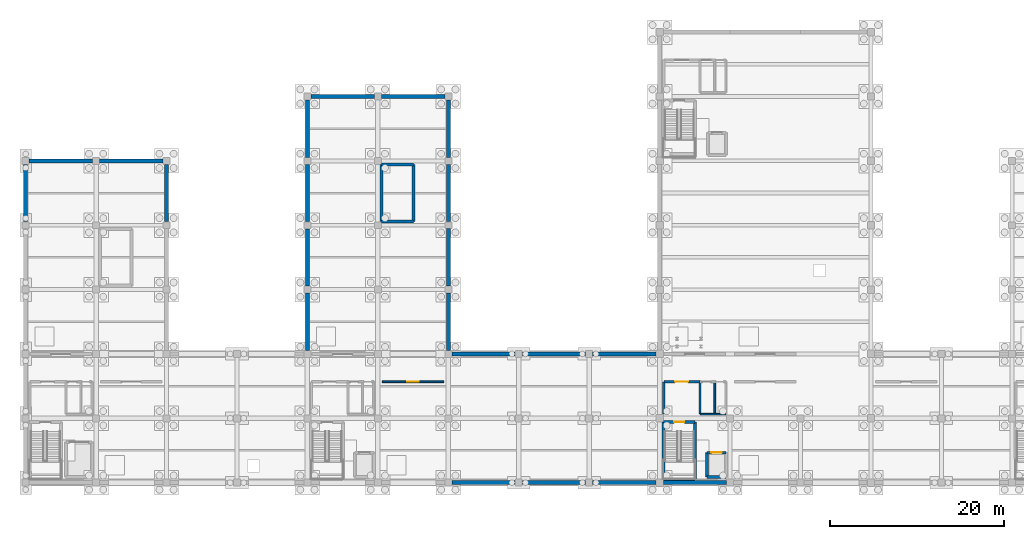
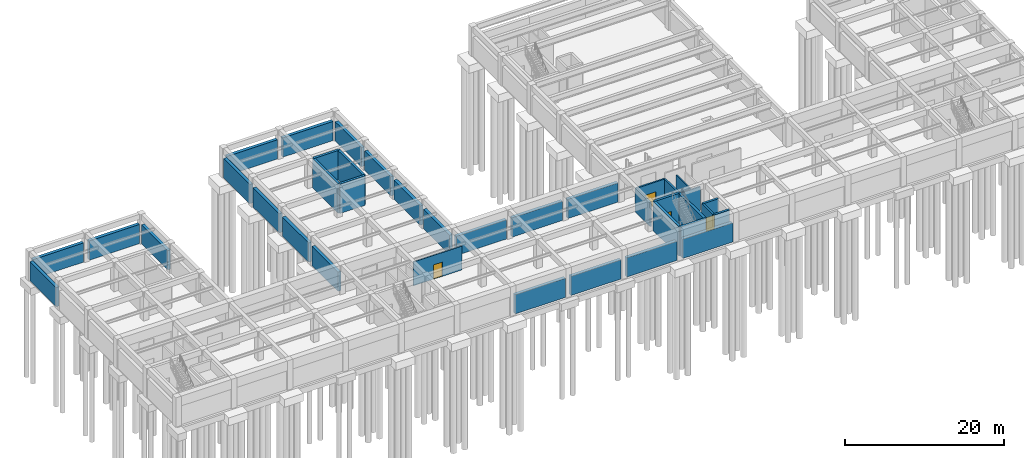
# One storey, part 8 of 14: 38 walls, 4 doors, 4 openings.
"""IFC4 building model written with IfcOpenShell, lengths in metres."""

from ifc_helpers import new_model, si_unit, direction, frame, frame_2d, origin, place, context, subcontext, project, spatial, rectangle, extrude, material, layer, layer_set, type_object, element, fill, save


model = new_model("IFC4")

# Units and contexts
model_context = context("Model", 3, precision=1e-05, world=origin(), true_north=direction((0.0, 1.0)))
body_context = subcontext(model_context, "Body", "Model", "MODEL_VIEW")
ifc_project = project(units=[si_unit("LENGTHUNIT", "METRE"), si_unit("AREAUNIT", "SQUARE_METRE"), si_unit("VOLUMEUNIT", "CUBIC_METRE"), si_unit("PLANEANGLEUNIT", "RADIAN"), si_unit("MASSUNIT", "GRAM", prefix="KILO")], contexts=[model_context])

# Site, building, storey
site_placement = place(None, origin())
site = spatial("IfcSite", under=ifc_project, at=site_placement, CompositionType="ELEMENT")
building_placement = place(site_placement, origin())
building = spatial("IfcBuilding", under=site, at=building_placement, Name="Cimatlan Art Gallery", CompositionType="ELEMENT")
storey_placement = place(building_placement, frame((0.0, 0.0, -4.800048828125)))
storey = spatial("IfcBuildingStorey", under=building, at=storey_placement, Name="B1", CompositionType="ELEMENT", Elevation=-4.800048828125)

# Walls
ifc_material_1 = material(Name="Concrete C40/50", Category="concrete")
ifc_layer_1 = layer(ifc_material_1, 0.31005859375)
ifc_layer_set_1 = layer_set([ifc_layer_1], Name="Concrete C40/50")
wall_type_1 = type_object("IfcWallType", Name="W-CORE-310", PredefinedType="SHEAR", material=ifc_layer_set_1)
wall_1_placement = place(storey_placement, frame((80.35009765625, 24.550048828125, 0.0), z_axis=(0.0, 0.0, 1.0), x_axis=(0.0, 1.0, 0.0)))
element("IfcWall", 1, at=wall_1_placement, inside=storey, type_object=wall_type_1, Name="WL-SHFT-C3-B1-LW", PredefinedType="SHEAR", context=body_context, shape_type="SweptSolid", body=[
    extrude(rectangle(XDim=2.800048828125, YDim=0.31005859375, at=frame_2d((1.39990234375, 0.0))), origin(), (0.0, 0.0, 1.0), 4.51513671875),
])
wall_2_placement = place(storey_placement, frame((80.35009765625, 24.550048828125, 0.0), z_axis=(0.0, 0.0, 1.0), x_axis=(1.0, 0.0, 0.0)))
element("IfcWall", 2, at=wall_2_placement, inside=storey, type_object=wall_type_1, Name="WL-SHFT-C3-B1-LS", PredefinedType="SHEAR", context=body_context, shape_type="SweptSolid", body=[
    extrude(rectangle(XDim=2.199951171875, YDim=0.31005859375, at=frame_2d((1.10009765625, 0.0))), origin(), (0.0, 0.0, 1.0), 4.51513671875),
])

# Wall, opening, door
wall_3_placement = place(storey_placement, frame((80.35009765625, 27.35009765625, 0.0), z_axis=(0.0, 0.0, 1.0), x_axis=(1.0, 0.0, 0.0)))
wall_3 = element("IfcWall", 3, at=wall_3_placement, inside=storey, type_object=wall_type_1, Name="WL-SHFT-C3-B1-LN", PredefinedType="SHEAR", context=body_context, shape_type="SweptSolid", body=[
    extrude(rectangle(XDim=2.199951171875, YDim=0.31005859375, at=frame_2d((1.10009765625, 0.0))), origin(), (0.0, 0.0, 1.0), 4.51513671875),
])
opening_1_placement = place(wall_3_placement, frame((0.5, 0.0, 0.0)))
opening_1 = element("IfcOpeningElement", 4, at=opening_1_placement, cuts=wall_3, Name="Opening LD-C3-B1", PredefinedType="OPENING", context=body_context, shape_type="SweptSolid", body=[
    extrude(rectangle(XDim=1.199951171875, YDim=2.14990234375, at=frame_2d((0.60009765625, 1.074951171875))), frame((0.0, 0.1650390625, 0.0), z_axis=(0.0, -1.0, 0.0), x_axis=(1.0, 0.0, 0.0)), (0.0, 0.0, 1.0), 0.330078125),
])
ifc_material_2 = material(Name="Fire-rated sliding firefighting lift landing door")
door_type_1 = type_object("IfcDoorType", Name="LD-FF-1200", OperationType="NOTDEFINED", PredefinedType="DOOR", material=ifc_material_2)
door_1_placement = place(opening_1_placement, origin())
door_1 = element("IfcDoor", 5, at=door_1_placement, inside=storey, type_object=door_type_1, Name="LD-FFL-02-B1", OperationType="SLIDING_TO_LEFT", OverallHeight=2.14990234375, OverallWidth=1.199951171875, PredefinedType="DOOR", context=body_context, shape_type="SweptSolid", body=[
    extrude(rectangle(XDim=1.199951171875, YDim=2.14990234375, at=frame_2d((0.60009765625, 1.074951171875))), frame((0.0, 0.02490234375, 0.0), z_axis=(0.0, -1.0, 0.0), x_axis=(1.0, 0.0, 0.0)), (0.0, 0.0, 1.0), 0.050048828125),
])
fill(opening_1, door_1)

# Walls
ifc_layer_2 = layer(ifc_material_1, 0.35009765625)
ifc_layer_set_2 = layer_set([ifc_layer_2], Name="Concrete C40/50")
wall_type_2 = type_object("IfcWallType", Name="W-CORE-350", PredefinedType="SHEAR", material=ifc_layer_set_2)
wall_4_placement = place(storey_placement, frame((75.340087890625, 24.340087890625, 0.0), z_axis=(0.0, 0.0, 1.0), x_axis=(0.0, 1.0, 0.0)))
element("IfcWall", 6, at=wall_4_placement, inside=storey, type_object=wall_type_2, Name="WL-CORE-C3-B1-SW", PredefinedType="SHEAR", context=body_context, shape_type="SweptSolid", body=[
    extrude(rectangle(XDim=6.52001953125, YDim=0.35009765625, at=frame_2d((3.260009765625, 0.0))), origin(), (0.0, 0.0, 1.0), 4.51513671875),
])
wall_5_placement = place(storey_placement, frame((75.340087890625, 24.340087890625, 0.0), z_axis=(0.0, 0.0, 1.0), x_axis=(1.0, 0.0, 0.0)))
element("IfcWall", 7, at=wall_5_placement, inside=storey, type_object=wall_type_2, Name="WL-CORE-C3-B1-SS", PredefinedType="SHEAR", context=body_context, shape_type="SweptSolid", body=[
    extrude(rectangle(XDim=3.639892578125, YDim=0.35009765625, at=frame_2d((1.81982421875, 0.0))), origin(), (0.0, 0.0, 1.0), 4.51513671875),
])
wall_6_placement = place(storey_placement, frame((78.97998046875, 24.340087890625, 0.0), z_axis=(0.0, 0.0, 1.0), x_axis=(0.0, 1.0, 0.0)))
element("IfcWall", 8, at=wall_6_placement, inside=storey, type_object=wall_type_2, Name="WL-CORE-C3-B1-SE", PredefinedType="SHEAR", context=body_context, shape_type="SweptSolid", body=[
    extrude(rectangle(XDim=6.52001953125, YDim=0.35009765625, at=frame_2d((3.260009765625, 0.0))), origin(), (0.0, 0.0, 1.0), 4.51513671875),
])

# Wall, opening, door
wall_7_placement = place(storey_placement, frame((75.340087890625, 30.860107421875, 0.0), z_axis=(0.0, 0.0, 1.0), x_axis=(1.0, 0.0, 0.0)))
wall_7 = element("IfcWall", 9, at=wall_7_placement, inside=storey, type_object=wall_type_2, Name="WL-CORE-C3-B1-SN", PredefinedType="SHEAR", context=body_context, shape_type="SweptSolid", body=[
    extrude(rectangle(XDim=3.639892578125, YDim=0.35009765625, at=frame_2d((1.81982421875, 0.0))), origin(), (0.0, 0.0, 1.0), 4.51513671875),
])
opening_2_placement = place(wall_7_placement, frame((1.219970703125, 0.0, 0.0)))
opening_2 = element("IfcOpeningElement", 10, at=opening_2_placement, cuts=wall_7, Name="Opening FD-C3-B1", PredefinedType="OPENING", context=body_context, shape_type="SweptSolid", body=[
    extrude(rectangle(XDim=1.199951171875, YDim=2.14990234375, at=frame_2d((0.60009765625, 1.074951171875))), frame((0.0, 0.18505859375, 0.0), z_axis=(0.0, -1.0, 0.0), x_axis=(1.0, 0.0, 0.0)), (0.0, 0.0, 1.0), 0.3701171875),
])
ifc_material_3 = material(Name="Fire-resisting steel acoustic stair door", Category="steel")
door_type_2 = type_object("IfcDoorType", Name="FD-ST-1200", OperationType="NOTDEFINED", PredefinedType="DOOR", material=ifc_material_3)
door_2_placement = place(opening_2_placement, origin())
door_2 = element("IfcDoor", 11, at=door_2_placement, inside=storey, type_object=door_type_2, Name="DR-C3-B1-ST", OperationType="SINGLE_SWING_LEFT", OverallHeight=2.14990234375, OverallWidth=1.199951171875, PredefinedType="DOOR", context=body_context, shape_type="SweptSolid", body=[
    extrude(rectangle(XDim=1.199951171875, YDim=2.14990234375, at=frame_2d((0.60009765625, 1.074951171875))), frame((0.0, 0.02490234375, 0.0), z_axis=(0.0, -1.0, 0.0), x_axis=(1.0, 0.0, 0.0)), (0.0, 0.0, 1.0), 0.050048828125),
])
fill(opening_2, door_2)

# Walls
wall_8_placement = place(storey_placement, frame((42.93994140625, 53.93994140625, 0.0), z_axis=(0.0, 0.0, 1.0), x_axis=(0.0, 1.0, 0.0)))
element("IfcWall", 12, at=wall_8_placement, inside=storey, type_object=wall_type_2, Name="WL-CORE-C8-B1-SW", PredefinedType="SHEAR", context=body_context, shape_type="SweptSolid", body=[
    extrude(rectangle(XDim=6.52001953125, YDim=0.35009765625, at=frame_2d((3.260009765625, 0.0))), origin(), (0.0, 0.0, 1.0), 4.51513671875),
])
wall_9_placement = place(storey_placement, frame((42.93994140625, 53.93994140625, 0.0), z_axis=(0.0, 0.0, 1.0), x_axis=(1.0, 0.0, 0.0)))
element("IfcWall", 13, at=wall_9_placement, inside=storey, type_object=wall_type_2, Name="WL-CORE-C8-B1-SS", PredefinedType="SHEAR", context=body_context, shape_type="SweptSolid", body=[
    extrude(rectangle(XDim=3.64013671875, YDim=0.35009765625, at=frame_2d((1.820068359375, 0.0))), origin(), (0.0, 0.0, 1.0), 4.51513671875),
])
wall_10_placement = place(storey_placement, frame((46.580078125, 53.93994140625, 0.0), z_axis=(0.0, 0.0, 1.0), x_axis=(0.0, 1.0, 0.0)))
element("IfcWall", 14, at=wall_10_placement, inside=storey, type_object=wall_type_2, Name="WL-CORE-C8-B1-SE", PredefinedType="SHEAR", context=body_context, shape_type="SweptSolid", body=[
    extrude(rectangle(XDim=6.52001953125, YDim=0.35009765625, at=frame_2d((3.260009765625, 0.0))), origin(), (0.0, 0.0, 1.0), 4.51513671875),
])
wall_11_placement = place(storey_placement, frame((42.93994140625, 60.4599609375, 0.0), z_axis=(0.0, 0.0, 1.0), x_axis=(1.0, 0.0, 0.0)))
element("IfcWall", 15, at=wall_11_placement, inside=storey, type_object=wall_type_2, Name="WL-CORE-C8-B1-SN", PredefinedType="SHEAR", context=body_context, shape_type="SweptSolid", body=[
    extrude(rectangle(XDim=3.64013671875, YDim=0.35009765625, at=frame_2d((1.820068359375, 0.0))), origin(), (0.0, 0.0, 1.0), 4.51513671875),
])

# Wall, opening, door
ifc_material_4 = material(Name="Precast concrete C40/50", Category="concrete")
ifc_layer_3 = layer(ifc_material_4, 0.2451171875)
ifc_layer_set_3 = layer_set([ifc_layer_3], Name="Precast concrete C40/50")
wall_type_3 = type_object("IfcWallType", Name="W-FFL-245", PredefinedType="PARTITIONING", material=ifc_layer_set_3)
wall_12_placement = place(storey_placement, frame((75.3798828125, 35.5, 0.0), z_axis=(0.0, 0.0, 1.0), x_axis=(1.0, 0.0, 0.0)))
wall_12 = element("IfcWall", 16, at=wall_12_placement, inside=storey, type_object=wall_type_3, Name="WL-LOB-C3-B1-N", PredefinedType="PARTITIONING", context=body_context, shape_type="SweptSolid", body=[
    extrude(rectangle(XDim=4.170166015625, YDim=0.2451171875, at=frame_2d((2.0849609375, 0.0))), origin(), (0.0, 0.0, 1.0), 3.66015625),
])
opening_3_placement = place(wall_12_placement, frame((1.300048828125, 0.0, 0.0)))
opening_3 = element("IfcOpeningElement", 17, at=opening_3_placement, cuts=wall_12, Name="Opening FDL-C3-B1", PredefinedType="OPENING", context=body_context, shape_type="SweptSolid", body=[
    extrude(rectangle(XDim=1.5, YDim=2.14990234375, at=frame_2d((0.75, 1.074951171875))), frame((0.0, 0.132568359375, 0.0), z_axis=(0.0, -1.0, 0.0), x_axis=(1.0, 0.0, 0.0)), (0.0, 0.0, 1.0), 0.26513671875),
])
ifc_material_5 = material(Name="Fire-resisting double-seal lobby door")
door_type_3 = type_object("IfcDoorType", Name="FD-LB-1500", OperationType="NOTDEFINED", PredefinedType="DOOR", material=ifc_material_5)
door_3_placement = place(opening_3_placement, origin())
door_3 = element("IfcDoor", 18, at=door_3_placement, inside=storey, type_object=door_type_3, Name="DR-LOB-C3-B1", OperationType="SINGLE_SWING_RIGHT", OverallHeight=2.14990234375, OverallWidth=1.5, PredefinedType="DOOR", context=body_context, shape_type="SweptSolid", body=[
    extrude(rectangle(XDim=1.5, YDim=2.14990234375, at=frame_2d((0.75, 1.074951171875))), frame((0.0, 0.02490234375, 0.0), z_axis=(0.0, -1.0, 0.0), x_axis=(1.0, 0.0, 0.0)), (0.0, 0.0, 1.0), 0.050048828125),
])
fill(opening_3, door_3)

# Walls
for number, where, z_axis, x_axis, name in (
    (19, (75.3798828125, 31.780029296875, 0.0), (0.0, 0.0, 1.0), (0.0, 1.0, 0.0), "WL-LOB-C3-B1-W"),
    (20, (79.550048828125, 31.780029296875, 0.0), (0.0, 0.0, 1.0), (0.0, 1.0, 0.0), "WL-LOB-C3-B1-M"),
):
    element("IfcWall", number, at=place(storey_placement, frame(where, z_axis=z_axis, x_axis=x_axis)), inside=storey, type_object=wall_type_3, Name=name, PredefinedType="PARTITIONING", context=body_context, shape_type="SweptSolid", body=[
        extrude(rectangle(XDim=3.719970703125, YDim=0.2451171875, at=frame_2d((1.85986328125, 0.0))), origin(), (0.0, 0.0, 1.0), 3.66015625),
    ])
ifc_material_6 = material(Name="Moisture-resistant fire-rated plumbing wall")
ifc_layer_4 = layer(ifc_material_6, 0.195068359375)
ifc_layer_set_4 = layer_set([ifc_layer_4], Name="Moisture-resistant fire-rated plumbing wall")
wall_type_4 = type_object("IfcWallType", Name="W-PLM-195", PredefinedType="PARTITIONING", material=ifc_layer_set_4)
wall_13_placement = place(storey_placement, frame((81.25, 31.780029296875, 0.0), z_axis=(0.0, 0.0, 1.0), x_axis=(0.0, 1.0, 0.0)))
element("IfcWall", 21, at=wall_13_placement, inside=storey, type_object=wall_type_4, Name="WL-LOB-C3-B1-D", PredefinedType="PARTITIONING", context=body_context, shape_type="SweptSolid", body=[
    extrude(rectangle(XDim=3.719970703125, YDim=0.195068359375, at=frame_2d((1.85986328125, 0.0))), origin(), (0.0, 0.0, 1.0), 3.66015625),
])
wall_14_placement = place(storey_placement, frame((79.550048828125, 31.780029296875, 0.0), z_axis=(0.0, 0.0, 1.0), x_axis=(1.0, 0.0, 0.0)))
element("IfcWall", 22, at=wall_14_placement, inside=storey, type_object=wall_type_4, Name="WL-LOB-C3-B1-S", PredefinedType="PARTITIONING", context=body_context, shape_type="SweptSolid", body=[
    extrude(rectangle(XDim=2.969970703125, YDim=0.195068359375, at=frame_2d((1.48486328125, 0.0))), origin(), (0.0, 0.0, 1.0), 3.66015625),
])

# Wall, opening, door
ifc_material_7 = material(Name="Acoustic gypsum and steel stud partition", Category="steel")
ifc_layer_5 = layer(ifc_material_7, 0.179931640625)
ifc_layer_set_5 = layer_set([ifc_layer_5], Name="Acoustic gypsum and steel stud partition")
wall_type_5 = type_object("IfcWallType", Name="W-STD-180", PredefinedType="PARTITIONING", material=ifc_layer_set_5)
wall_15_placement = place(storey_placement, frame((43.02001953125, 35.5, 0.0), z_axis=(0.0, 0.0, 1.0), x_axis=(1.0, 0.0, 0.0)))
wall_15 = element("IfcWall", 23, at=wall_15_placement, inside=storey, type_object=wall_type_5, Name="WL-RM-B1-CNS-01", PredefinedType="PARTITIONING", context=body_context, shape_type="SweptSolid", body=[
    extrude(rectangle(XDim=7.06005859375, YDim=0.179931640625, at=frame_2d((3.530029296875, 0.0))), origin(), (0.0, 0.0, 1.0), 3.66015625),
])
opening_4_placement = place(wall_15_placement, frame((2.8798828125, 0.0, 0.0)))
opening_4 = element("IfcOpeningElement", 24, at=opening_4_placement, cuts=wall_15, Name="Opening DI-0165", PredefinedType="OPENING", context=body_context, shape_type="SweptSolid", body=[
    extrude(rectangle(XDim=1.300048828125, YDim=2.199951171875, at=frame_2d((0.64990234375, 1.10009765625))), frame((0.0, 0.10009765625, 0.0), z_axis=(0.0, -1.0, 0.0), x_axis=(1.0, 0.0, 0.0)), (0.0, 0.0, 1.0), 0.199951171875),
])
ifc_material_8 = material(Name="Conservation laboratory double-leaf door")
door_type_4 = type_object("IfcDoorType", Name="DI-CN-1300", OperationType="NOTDEFINED", PredefinedType="DOOR", material=ifc_material_8)
door_4_placement = place(opening_4_placement, origin())
door_4 = element("IfcDoor", 25, at=door_4_placement, inside=storey, type_object=door_type_4, Name="DR-RM-B1-CNS-01", OperationType="SINGLE_SWING_LEFT", OverallHeight=2.199951171875, OverallWidth=1.300048828125, PredefinedType="DOOR", context=body_context, shape_type="SweptSolid", body=[
    extrude(rectangle(XDim=1.300048828125, YDim=2.199951171875, at=frame_2d((0.64990234375, 1.10009765625))), frame((0.0, 0.02490234375, 0.0), z_axis=(0.0, -1.0, 0.0), x_axis=(1.0, 0.0, 0.0)), (0.0, 0.0, 1.0), 0.050048828125),
])
fill(opening_4, door_4)

# Walls
ifc_layer_6 = layer(ifc_material_1, 0.449951171875)
ifc_layer_set_6 = layer_set([ifc_layer_6], Name="Concrete C40/50")
wall_type_6 = type_object("IfcWallType", Name="WL-RET-450", PredefinedType="USERDEFINED", material=ifc_layer_set_6)
wall_16_placement = place(storey_placement, frame((2.404052734375, 60.89990234375, 0.0), z_axis=(0.0, 0.0, 1.0), x_axis=(1.0, 0.0, 0.0)))
element("IfcWall", 26, at=wall_16_placement, inside=storey, type_object=wall_type_6, Name="WL-B1-RET-010", ObjectType="RETAININGWALL", PredefinedType="USERDEFINED", context=body_context, shape_type="SweptSolid", body=[
    extrude(rectangle(XDim=7.2919921875, YDim=0.449951171875, at=frame_2d((3.64599609375, 0.0))), origin(), (0.0, 0.0, 1.0), 2.949951171875),
])
wall_17_placement = place(storey_placement, frame((2.0, 53.904052734375, 0.0), z_axis=(0.0, 0.0, 1.0), x_axis=(0.0, 1.0, 0.0)))
element("IfcWall", 27, at=wall_17_placement, inside=storey, type_object=wall_type_6, Name="WL-B1-RET-011", ObjectType="RETAININGWALL", PredefinedType="USERDEFINED", context=body_context, shape_type="SweptSolid", body=[
    extrude(rectangle(XDim=6.592041015625, YDim=0.449951171875, at=frame_2d((3.2958984375, 0.0))), origin(), (0.0, 0.0, 1.0), 2.949951171875),
])
wall_18_placement = place(storey_placement, frame((10.50390625, 60.89990234375, 0.0), z_axis=(0.0, 0.0, 1.0), x_axis=(1.0, 0.0, 0.0)))
element("IfcWall", 28, at=wall_18_placement, inside=storey, type_object=wall_type_6, Name="WL-B1-RET-015", ObjectType="RETAININGWALL", PredefinedType="USERDEFINED", context=body_context, shape_type="SweptSolid", body=[
    extrude(rectangle(XDim=7.2919921875, YDim=0.449951171875, at=frame_2d((3.64599609375, 0.0))), origin(), (0.0, 0.0, 1.0), 2.949951171875),
])
for number, where, z_axis, x_axis, name in (
    (29, (18.199951171875, 60.49609375, 0.0), (0.0, 0.0, 1.0), (0.0, -1.0, 0.0), "WL-B1-RET-016"),
    (30, (34.39990234375, 39.10400390625, 0.0), (0.0, 0.0, 1.0), (0.0, 1.0, 0.0), "WL-B1-RET-022"),
    (31, (34.39990234375, 46.50390625, 0.0), (0.0, 0.0, 1.0), (0.0, 1.0, 0.0), "WL-B1-RET-023"),
    (32, (34.39990234375, 53.904052734375, 0.0), (0.0, 0.0, 1.0), (0.0, 1.0, 0.0), "WL-B1-RET-024"),
):
    element("IfcWall", number, at=place(storey_placement, frame(where, z_axis=z_axis, x_axis=x_axis)), inside=storey, type_object=wall_type_6, Name=name, ObjectType="RETAININGWALL", PredefinedType="USERDEFINED", context=body_context, shape_type="SweptSolid", body=[
        extrude(rectangle(XDim=6.592041015625, YDim=0.449951171875, at=frame_2d((3.2958984375, 0.0))), origin(), (0.0, 0.0, 1.0), 2.949951171875),
    ])
wall_19_placement = place(storey_placement, frame((34.803955078125, 68.300048828125, 0.0), z_axis=(0.0, 0.0, 1.0), x_axis=(1.0, 0.0, 0.0)))
element("IfcWall", 33, at=wall_19_placement, inside=storey, type_object=wall_type_6, Name="WL-B1-RET-025", ObjectType="RETAININGWALL", PredefinedType="USERDEFINED", context=body_context, shape_type="SweptSolid", body=[
    extrude(rectangle(XDim=7.2919921875, YDim=0.449951171875, at=frame_2d((3.64599609375, 0.0))), origin(), (0.0, 0.0, 1.0), 2.949951171875),
])
for number, where, z_axis, x_axis, name in (
    (34, (34.39990234375, 61.303955078125, 0.0), (0.0, 0.0, 1.0), (0.0, 1.0, 0.0), "WL-B1-RET-026"),
    (35, (50.60009765625, 45.696044921875, 0.0), (0.0, 0.0, 1.0), (0.0, -1.0, 0.0), "WL-B1-RET-028"),
    (36, (50.60009765625, 53.095947265625, 0.0), (0.0, 0.0, 1.0), (0.0, -1.0, 0.0), "WL-B1-RET-029"),
    (37, (50.60009765625, 60.49609375, 0.0), (0.0, 0.0, 1.0), (0.0, -1.0, 0.0), "WL-B1-RET-030"),
):
    element("IfcWall", number, at=place(storey_placement, frame(where, z_axis=z_axis, x_axis=x_axis)), inside=storey, type_object=wall_type_6, Name=name, ObjectType="RETAININGWALL", PredefinedType="USERDEFINED", context=body_context, shape_type="SweptSolid", body=[
        extrude(rectangle(XDim=6.592041015625, YDim=0.449951171875, at=frame_2d((3.2958984375, 0.0))), origin(), (0.0, 0.0, 1.0), 2.949951171875),
    ])
wall_20_placement = place(storey_placement, frame((42.904052734375, 68.300048828125, 0.0), z_axis=(0.0, 0.0, 1.0), x_axis=(1.0, 0.0, 0.0)))
element("IfcWall", 38, at=wall_20_placement, inside=storey, type_object=wall_type_6, Name="WL-B1-RET-031", ObjectType="RETAININGWALL", PredefinedType="USERDEFINED", context=body_context, shape_type="SweptSolid", body=[
    extrude(rectangle(XDim=7.2919921875, YDim=0.449951171875, at=frame_2d((3.64599609375, 0.0))), origin(), (0.0, 0.0, 1.0), 2.949951171875),
])
wall_21_placement = place(storey_placement, frame((50.60009765625, 67.89599609375, 0.0), z_axis=(0.0, 0.0, 1.0), x_axis=(0.0, -1.0, 0.0)))
element("IfcWall", 39, at=wall_21_placement, inside=storey, type_object=wall_type_6, Name="WL-B1-RET-032", ObjectType="RETAININGWALL", PredefinedType="USERDEFINED", context=body_context, shape_type="SweptSolid", body=[
    extrude(rectangle(XDim=6.592041015625, YDim=0.449951171875, at=frame_2d((3.2958984375, 0.0))), origin(), (0.0, 0.0, 1.0), 2.949951171875),
])
for number, where, z_axis, x_axis, name in (
    (40, (58.2958984375, 23.89990234375, 0.0), (0.0, 0.0, 1.0), (-1.0, 0.0, 0.0), "WL-B1-RET-033"),
    (41, (51.00390625, 38.699951171875, 0.0), (0.0, 0.0, 1.0), (1.0, 0.0, 0.0), "WL-B1-RET-034"),
    (42, (66.39599609375, 23.89990234375, 0.0), (0.0, 0.0, 1.0), (-1.0, 0.0, 0.0), "WL-B1-RET-035"),
    (43, (59.10400390625, 38.699951171875, 0.0), (0.0, 0.0, 1.0), (1.0, 0.0, 0.0), "WL-B1-RET-036"),
):
    element("IfcWall", number, at=place(storey_placement, frame(where, z_axis=z_axis, x_axis=x_axis)), inside=storey, type_object=wall_type_6, Name=name, ObjectType="RETAININGWALL", PredefinedType="USERDEFINED", context=body_context, shape_type="SweptSolid", body=[
        extrude(rectangle(XDim=7.2919921875, YDim=0.449951171875, at=frame_2d((3.64599609375, 0.0))), origin(), (0.0, 0.0, 1.0), 2.949951171875),
    ])
for number, where, z_axis, x_axis, name in (
    (44, (74.470947265625, 23.89990234375, 0.0), (0.0, 0.0, 1.0), (-1.0, 0.0, 0.0), "WL-B1-RET-037"),
    (45, (67.2041015625, 38.699951171875, 0.0), (0.0, 0.0, 1.0), (1.0, 0.0, 0.0), "WL-B1-RET-038"),
    (46, (82.595947265625, 23.89990234375, 0.0), (0.0, 0.0, 1.0), (-1.0, 0.0, 0.0), "WL-B1-RET-039"),
):
    element("IfcWall", number, at=place(storey_placement, frame(where, z_axis=z_axis, x_axis=x_axis)), inside=storey, type_object=wall_type_6, Name=name, ObjectType="RETAININGWALL", PredefinedType="USERDEFINED", context=body_context, shape_type="SweptSolid", body=[
        extrude(rectangle(XDim=7.266845703125, YDim=0.449951171875, at=frame_2d((3.63330078125, 0.0))), origin(), (0.0, 0.0, 1.0), 2.949951171875),
    ])

save(model, "model.ifc")
